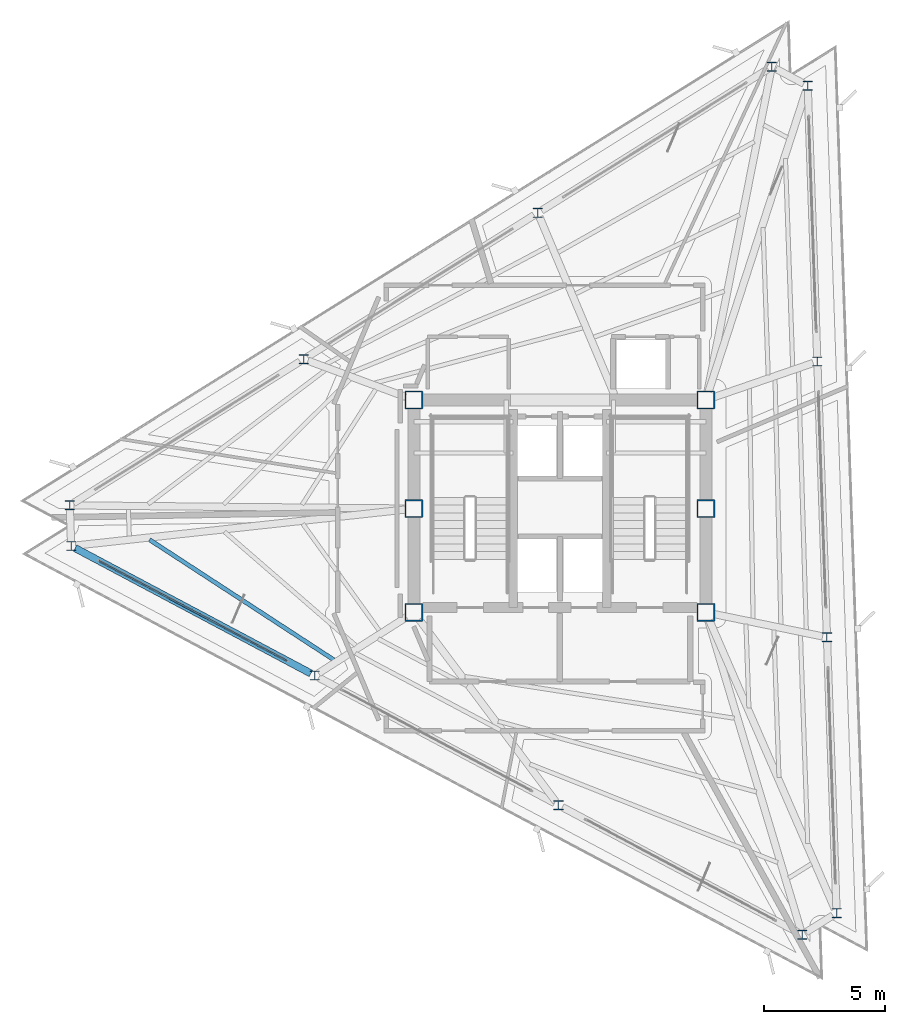
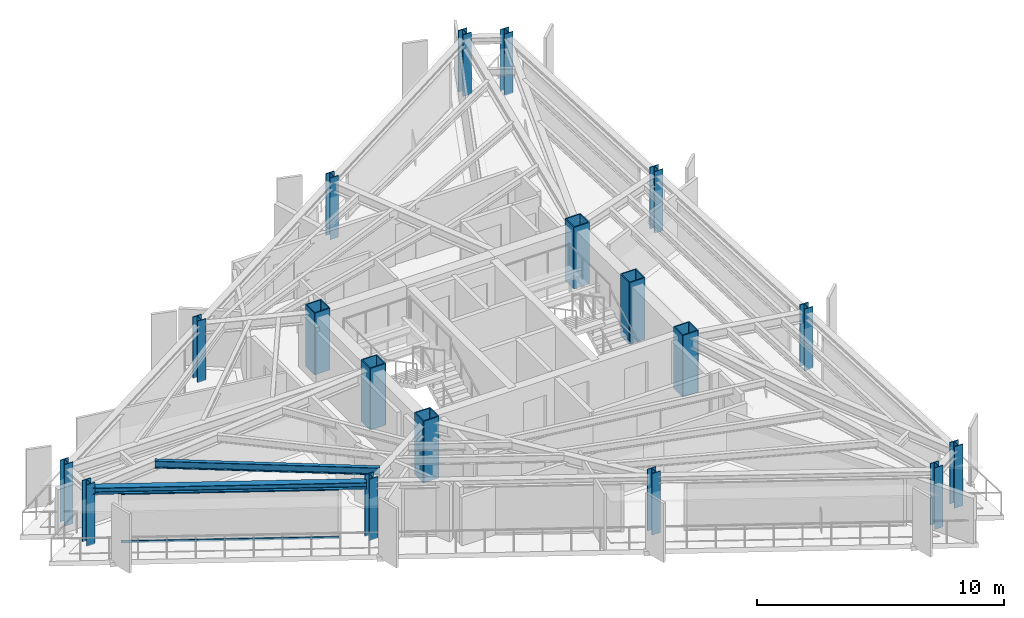
# One storey, part 1 of 13: 18 columns, 2 beams, 2 members, 1 element without a shape of its own.
"""IFC4 building model written with IfcOpenShell, lengths in metres."""

from ifc_helpers import new_model, si_unit, direction, frame, origin, origin_2d, place, context, subcontext, project, spatial, rectangle, hollow_rectangle, i_section, extrude, material, layer, layer_set, material_profile, profile_set, type_object, element, aggregate, save


model = new_model("IFC4")

# Units and contexts
model_context = context("Model", 3, precision=1e-05, world=origin(), true_north=direction((0.0, 1.0)))
body_context = subcontext(model_context, "Body", "Model", "MODEL_VIEW")
ifc_project = project(units=[si_unit("LENGTHUNIT", "METRE"), si_unit("AREAUNIT", "SQUARE_METRE"), si_unit("VOLUMEUNIT", "CUBIC_METRE"), si_unit("PLANEANGLEUNIT", "RADIAN"), si_unit("MASSUNIT", "GRAM", prefix="KILO")], contexts=[model_context])

# Site, building, storey
site_placement = place(None, origin())
site = spatial("IfcSite", under=ifc_project, at=site_placement, CompositionType="ELEMENT")
building_placement = place(site_placement, origin())
building = spatial("IfcBuilding", under=site, at=building_placement, Name="Rocaltana Carrier Exchange", CompositionType="ELEMENT")
storey_placement = place(building_placement, frame((0.0, 0.0, 196.639892578125)))
storey = spatial("IfcBuildingStorey", under=building, at=storey_placement, Name="L62", CompositionType="ELEMENT", Elevation=196.639892578125)

# Columns
ifc_material_1 = material(Name="Steel S460", Category="steel")
ifc_material_profile_1 = material_profile(ifc_material_1, hollow_rectangle(XDim=0.75, YDim=0.75, WallThickness=0.050048828125, InnerFilletRadius=0.02001953125, OuterFilletRadius=0.0400390625, at=origin_2d()), Name="BOX750X750X50")
ifc_profile_set_1 = profile_set([ifc_material_profile_1], Name="Steel S460")
column_type_1 = type_object("IfcColumnType", Name="Core Mega-Column BOX750", PredefinedType="COLUMN", material=ifc_profile_set_1)
for number, where, z_axis, x_axis, name in (
    (1, (-6.050048828125, 4.5, 0.0), (0.0, 0.0, 1.0), (1.0, 0.0, 0.0), "L62 Core Mega-Column MC1"),
    (2, (6.050048828125, 4.5, 0.0), (0.0, 0.0, 1.0), (1.0, 0.0, 0.0), "L62 Core Mega-Column MC2"),
    (3, (-6.050048828125, 0.0, 0.0), (0.0, 0.0, 1.0), (1.0, 0.0, 0.0), "L62 Core Mega-Column MC3"),
    (4, (6.050048828125, 0.0, 0.0), (0.0, 0.0, 1.0), (1.0, 0.0, 0.0), "L62 Core Mega-Column MC4"),
    (5, (-6.050048828125, -4.300048828125, 0.0), (0.0, 0.0, 1.0), (1.0, 0.0, 0.0), "L62 Core Mega-Column MC5"),
    (6, (6.050048828125, -4.300048828125, 0.0), (0.0, 0.0, 1.0), (1.0, 0.0, 0.0), "L62 Core Mega-Column MC6"),
):
    element("IfcColumn", number, at=place(storey_placement, frame(where, z_axis=z_axis, x_axis=x_axis)), inside=storey, type_object=column_type_1, Name=name, PredefinedType="COLUMN", context=body_context, shape_type="SweptSolid", body=[
        extrude(hollow_rectangle(XDim=0.75, YDim=0.75, WallThickness=0.050048828125, InnerFilletRadius=0.02001953125, OuterFilletRadius=0.0400390625, at=origin_2d()), origin(), (0.0, 0.0, 1.0), 3.0400390625),
    ])
ifc_material_2 = material(Name="Steel S355", Category="steel")
ifc_material_profile_2 = material_profile(ifc_material_2, i_section(OverallWidth=0.39794921875, OverallDepth=0.386962890625, WebThickness=0.02099609375, FlangeThickness=0.033203125, FilletRadius=0.01806640625, at=origin_2d()), Name="W14X176")
ifc_profile_set_2 = profile_set([ifc_material_profile_2], Name="Steel S355")
column_type_2 = type_object("IfcColumnType", Name="Perimeter Column W14X176", PredefinedType="COLUMN", material=ifc_profile_set_2)
for number, where, z_axis, x_axis, name in (
    (7, (11.46630859375, -16.760009765625, 0.0), (0.0, 0.0, 1.0), (1.0, 0.0, 0.0), "L62 Perimeter Column TC01"),
    (8, (11.067138671875, -5.333740234375, 0.0), (0.0, 0.0, 1.0), (1.0, 0.0, 0.0), "L62 Perimeter Column TC02"),
    (9, (10.668212890625, 6.0927734375, 0.0), (0.0, 0.0, 1.0), (1.0, 0.0, 0.0), "L62 Perimeter Column TC03"),
    (10, (10.269287109375, 17.51904296875, 0.0), (0.0, 0.0, 1.0), (1.0, 0.0, 0.0), "L62 Perimeter Column TC04"),
    (11, (8.781494140625, 18.31005859375, 0.0), (0.0, 0.0, 1.0), (1.0, 0.0, 0.0), "L62 Perimeter Column TC05"),
    (12, (-0.91455078125, 12.251220703125, 0.0), (0.0, 0.0, 1.0), (1.0, 0.0, 0.0), "L62 Perimeter Column TC06"),
    (13, (-10.610595703125, 6.192626953125, 0.0), (0.0, 0.0, 1.0), (1.0, 0.0, 0.0), "L62 Perimeter Column TC07"),
    (14, (-20.306640625, 0.1337890625, 0.0), (0.0, 0.0, 1.0), (1.0, 0.0, 0.0), "L62 Perimeter Column TC08"),
    (15, (-20.247802734375, -1.550048828125, 0.0), (0.0, 0.0, 1.0), (1.0, 0.0, 0.0), "L62 Perimeter Column TC09"),
    (16, (-10.152587890625, -6.917724609375, 0.0), (0.0, 0.0, 1.0), (1.0, 0.0, 0.0), "L62 Perimeter Column TC10"),
    (17, (-0.0576171875, -12.285400390625, 0.0), (0.0, 0.0, 1.0), (1.0, 0.0, 0.0), "L62 Perimeter Column TC11"),
    (18, (10.037353515625, -17.65283203125, 0.0), (0.0, 0.0, 1.0), (1.0, 0.0, 0.0), "L62 Perimeter Column TC12"),
):
    element("IfcColumn", number, at=place(storey_placement, frame(where, z_axis=z_axis, x_axis=x_axis)), inside=storey, type_object=column_type_2, Name=name, PredefinedType="COLUMN", context=body_context, shape_type="SweptSolid", body=[
        extrude(i_section(OverallWidth=0.39794921875, OverallDepth=0.386962890625, WebThickness=0.02099609375, FlangeThickness=0.033203125, FilletRadius=0.01806640625, at=origin_2d()), origin(), (0.0, 0.0, 1.0), 3.0400390625),
    ])

# Curtain wall, members
ifc_material_3 = material(Name="Aluminium 6063-T6", Category="aluminium")
ifc_layer = layer(ifc_material_3, 0.1201171875)
ifc_layer_set = layer_set([ifc_layer], Name="Aluminium 6063-T6")
curtain_wall_type = type_object("IfcCurtainWallType", Name="High-Altitude Thermal Curtain Wall CW-05", PredefinedType="NOTDEFINED", material=ifc_layer_set)
curtain_wall_placement = place(storey_placement, origin())
curtain_wall = element("IfcCurtainWall", 19, at=curtain_wall_placement, inside=storey, type_object=curtain_wall_type, Name="L62 CW-05 Run CW-L62-F3S1", PredefinedType="NOTDEFINED")
ifc_material_4 = material(Name="Aluminium 6063-T6", Category="aluminium")
ifc_material_profile_3 = material_profile(ifc_material_4, rectangle(XDim=0.06005859375, YDim=0.1201171875, at=origin_2d()), Name="AL-60X120")
ifc_profile_set_3 = profile_set([ifc_material_profile_3], Name="Aluminium 6063-T6")
member_type = type_object("IfcMemberType", Name="CW-05 Transom AL-60X120", PredefinedType="USERDEFINED", material=ifc_profile_set_3)
member_1_placement = place(storey_placement, frame((-19.091064453125, -2.1650390625, 0.030029296875), z_axis=(0.882944221824, -0.469477902726, 0.0), x_axis=(0.469477902726, 0.882944221824, 0.0)))
member_1 = element("IfcMember", 20, at=member_1_placement, type_object=member_type, Name="CW-05 transom 1.1", ObjectType="TRANSOM", PredefinedType="USERDEFINED", context=body_context, shape_type="SweptSolid", body=[
    extrude(rectangle(XDim=0.06005859375, YDim=0.1201171875, at=origin_2d()), origin(), (0.0, 0.0, 1.0), 8.8134765625),
])
member_2_placement = place(storey_placement, frame((-19.091064453125, -2.1650390625, 2.418212890625), z_axis=(0.882944221824, -0.469477902726, 0.0), x_axis=(0.469477902726, 0.882944221824, 0.0)))
member_2 = element("IfcMember", 21, at=member_2_placement, type_object=member_type, Name="CW-05 transom 1.2", ObjectType="TRANSOM", PredefinedType="USERDEFINED", context=body_context, shape_type="SweptSolid", body=[
    extrude(rectangle(XDim=0.06005859375, YDim=0.1201171875, at=origin_2d()), origin(), (0.0, 0.0, 1.0), 8.8134765625),
])
aggregate(curtain_wall, [member_1, member_2])

# Beams
ifc_material_5 = material(Name="Steel S355", Category="steel")
ifc_material_profile_4 = material_profile(ifc_material_5, i_section(OverallWidth=0.172119140625, OverallDepth=0.35791015625, WebThickness=0.0078125, FlangeThickness=0.01318359375, FilletRadius=0.011962890625, at=origin_2d()), Name="W14X38")
ifc_profile_set_4 = profile_set([ifc_material_profile_4], Name="Steel S355")
beam_type_1 = type_object("IfcBeamType", Name="Floor Joist W14X38", PredefinedType="JOIST", material=ifc_profile_set_4)
beam_1_placement = place(storey_placement, frame((-17.003662109375, -1.28759765625, 2.619140625), z_axis=(0.837735841747, -0.546075690223, 0.0), x_axis=(0.546075690223, 0.837735841747, 0.0)))
element("IfcBeam", 22, at=beam_1_placement, inside=storey, type_object=beam_type_1, Name="FJ-L62-09-3", PredefinedType="JOIST", context=body_context, shape_type="SweptSolid", body=[
    extrude(i_section(OverallWidth=0.172119140625, OverallDepth=0.35791015625, WebThickness=0.0078125, FlangeThickness=0.01318359375, FilletRadius=0.011962890625, at=origin_2d()), origin(), (0.0, 0.0, 1.0), 9.111572265625),
])
ifc_material_6 = material(Name="Steel S355", Category="steel")
ifc_material_profile_5 = material_profile(ifc_material_6, i_section(OverallWidth=0.300048828125, OverallDepth=0.320068359375, WebThickness=0.011474609375, FlangeThickness=0.0205078125, FilletRadius=0.027099609375, at=origin_2d()), Name="HEB320")
ifc_profile_set_5 = profile_set([ifc_material_profile_5], Name="Steel S355")
beam_type_2 = type_object("IfcBeamType", Name="Spandrel Edge Beam HEB320", PredefinedType="SPANDREL", material=ifc_profile_set_5)
beam_2_placement = place(storey_placement, frame((-20.083984375, -1.63720703125, 2.63818359375), z_axis=(0.882953364768, -0.469460707242, 0.0), x_axis=(0.469460707242, 0.882953364768, 0.0)))
element("IfcBeam", 23, at=beam_2_placement, inside=storey, type_object=beam_type_2, Name="SP-L62-09", PredefinedType="SPANDREL", context=body_context, shape_type="SweptSolid", body=[
    extrude(i_section(OverallWidth=0.300048828125, OverallDepth=0.320068359375, WebThickness=0.011474609375, FlangeThickness=0.0205078125, FilletRadius=0.027099609375, at=origin_2d()), origin(), (0.0, 0.0, 1.0), 11.0625),
])

save(model, "model.ifc")
